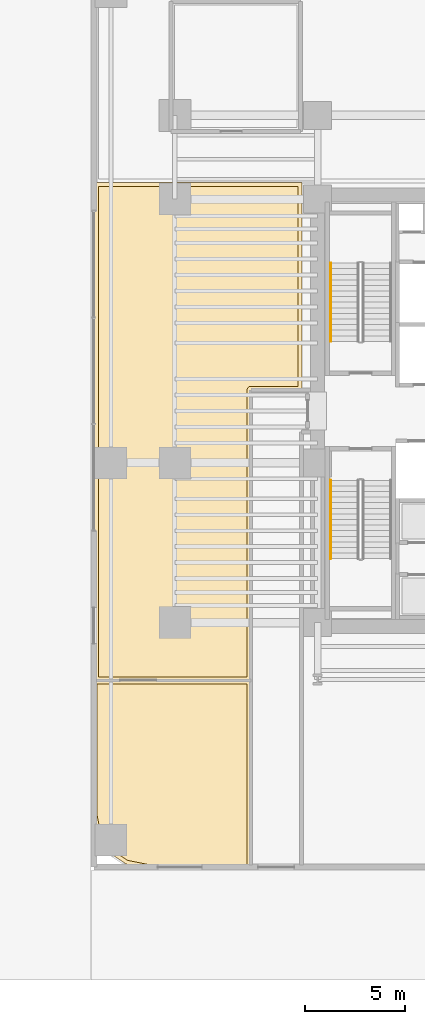
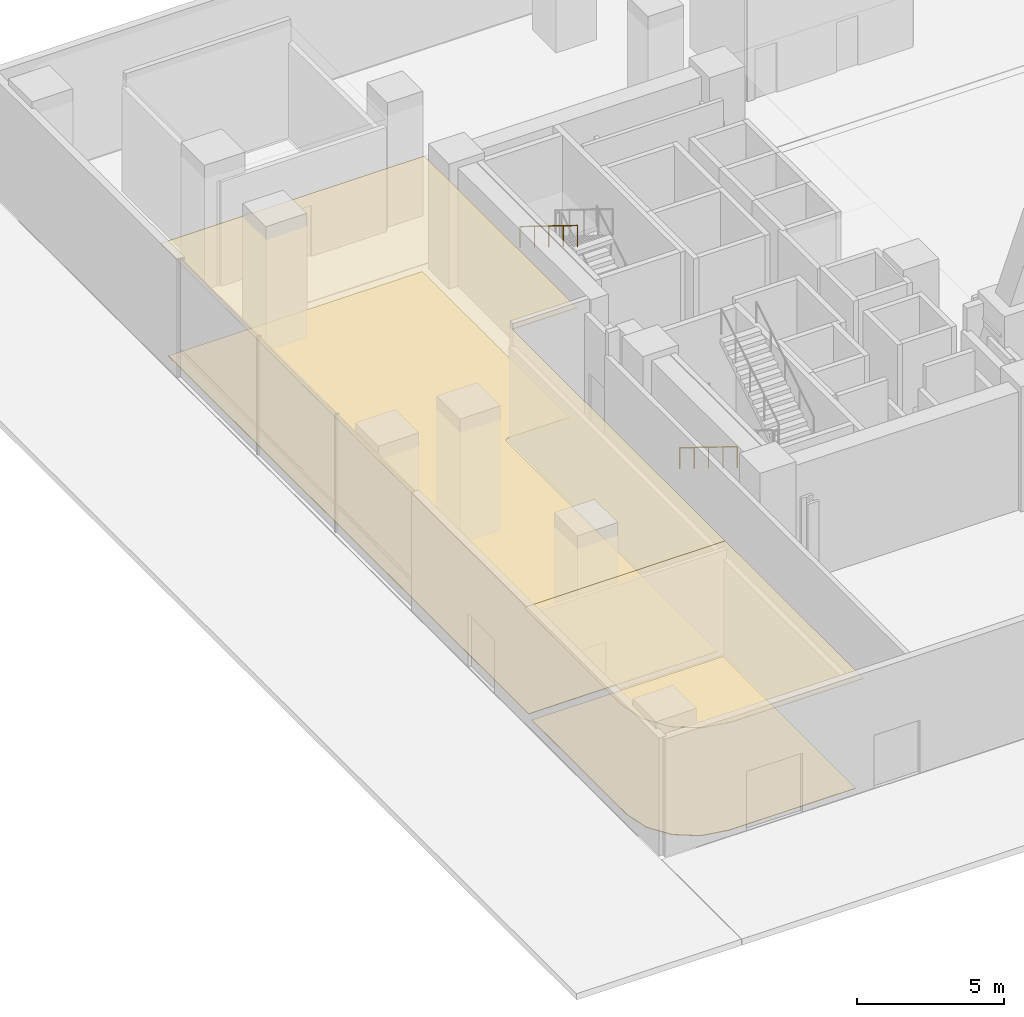
# One storey, part 20 of 27: 4 coverings, 2 railings.
"""IFC4 building model written with IfcOpenShell, lengths in metres."""

from ifc_helpers import new_model, si_unit, direction, frame, origin, origin_2d, place, context, subcontext, project, spatial, polyline, circle, outline, extrude, material, layer, layer_set, type_object, element, save


model = new_model("IFC4")

# Units and contexts
model_context = context("Model", 3, precision=1e-05, world=origin(), true_north=direction((0.0, 1.0)))
body_context = subcontext(model_context, "Body", "Model", "MODEL_VIEW")
ifc_project = project(units=[si_unit("LENGTHUNIT", "METRE"), si_unit("AREAUNIT", "SQUARE_METRE"), si_unit("VOLUMEUNIT", "CUBIC_METRE"), si_unit("PLANEANGLEUNIT", "RADIAN"), si_unit("MASSUNIT", "GRAM", prefix="KILO")], contexts=[model_context])

# Site, building, storey
site_placement = place(None, origin())
site = spatial("IfcSite", under=ifc_project, at=site_placement, CompositionType="ELEMENT")
building_placement = place(site_placement, origin())
building = spatial("IfcBuilding", under=site, at=building_placement, Name="Valdorenza Pilgrim Sanctuary Tower", CompositionType="ELEMENT")
storey_placement = place(building_placement, origin())
storey = spatial("IfcBuildingStorey", under=building, at=storey_placement, Name="L00", CompositionType="ELEMENT", Elevation=0.0)

# Coverings
ifc_material_1 = material(Name="Micro-perforated acoustic mineral ceiling tile", Category="gypsum")
ifc_layer_1 = layer(ifc_material_1, 0.02490234375, Name="Micro-perforated acoustic mineral ceiling tile")
ifc_layer_set_1 = layer_set([ifc_layer_1], Name="Micro-perforated acoustic mineral ceiling tile")
covering_type_1 = type_object("IfcCoveringType", Name="COV-CLG-ACU", PredefinedType="CEILING", material=ifc_layer_set_1)
covering_1_placement = place(storey_placement, frame((0.0, 0.0, 4.6201171875)))
element("IfcCovering", 1, at=covering_1_placement, inside=storey, type_object=covering_type_1, Name="L00 Pilgrim Bookshop and Sacred Art Retail Acoustic Ceiling", PredefinedType="CEILING", context=body_context, shape_type="SweptSolid", body=[
    extrude(outline(polyline([(-25.987060546875, -22.794677734375), (-25.98681640625, -22.795166015625), (-25.986083984375, -22.79638671875), (-25.985595703125, -22.7978515625), (-25.9853515625, -22.79931640625), (-25.985107421875, -22.800537109375), (-25.985107421875, -22.802001953125), (-25.985107421875, -22.889892578125), (-25.985107421875, -22.8916015625), (-25.9853515625, -22.892822265625), (-25.985595703125, -22.894287109375), (-25.986083984375, -22.895751953125), (-25.98681640625, -22.897216796875), (-25.987548828125, -22.898193359375), (-25.98828125, -22.8994140625), (-25.989501953125, -22.900634765625), (-25.990478515625, -22.901611328125), (-25.99169921875, -22.902587890625), (-25.992919921875, -22.9033203125), (-25.994384765625, -22.90380859375), (-25.99560546875, -22.904296875), (-25.9970703125, -22.90478515625), (-25.99853515625, -22.90478515625), (-26.0, -22.905029296875), (-31.189208984375, -22.905029296875), (-31.190673828125, -22.90478515625), (-31.192138671875, -22.90478515625), (-32.2314453125, -22.697998046875), (-32.23291015625, -22.697509765625), (-32.234375, -22.697021484375), (-32.235595703125, -22.696533203125), (-32.23681640625, -22.69580078125), (-33.10888671875, -22.113037109375), (-33.110107421875, -22.1123046875), (-33.111083984375, -22.111083984375), (-33.1123046875, -22.110107421875), (-33.113037109375, -22.10888671875), (-33.69580078125, -21.23681640625), (-33.696533203125, -21.235595703125), (-33.697021484375, -21.234375), (-33.697509765625, -21.23291015625), (-33.697998046875, -21.2314453125), (-33.90478515625, -20.192138671875), (-33.90478515625, -20.190673828125), (-33.905029296875, -20.189208984375), (-33.905029296875, -13.5), (-33.90478515625, -13.49853515625), (-33.90478515625, -13.4970703125), (-33.904296875, -13.49560546875), (-33.90380859375, -13.494384765625), (-33.9033203125, -13.492919921875), (-33.902587890625, -13.49169921875), (-33.901611328125, -13.490478515625), (-33.900634765625, -13.489501953125), (-33.8994140625, -13.48828125), (-33.898193359375, -13.487548828125), (-33.897216796875, -13.48681640625), (-33.895751953125, -13.486083984375), (-33.894287109375, -13.485595703125), (-33.892822265625, -13.4853515625), (-33.8916015625, -13.485107421875), (-33.889892578125, -13.485107421875), (-26.001953125, -13.485107421875), (-26.00048828125, -13.485107421875), (-25.9990234375, -13.4853515625), (-25.99755859375, -13.485595703125), (-25.996337890625, -13.486083984375), (-25.994873046875, -13.48681640625), (-25.99365234375, -13.487548828125), (-25.992431640625, -13.48828125), (-25.991455078125, -13.489501953125), (-25.990478515625, -13.490478515625), (-25.989501953125, -13.49169921875), (-25.98876953125, -13.492919921875), (-25.988037109375, -13.494384765625), (-25.987548828125, -13.49560546875), (-25.9873046875, -13.4970703125), (-25.987060546875, -13.49853515625), (-25.987060546875, -13.5), (-25.987060546875, -22.794677734375)])), origin(), (0.0, 0.0, 1.0), 0.02490234375),
])
covering_2_placement = place(storey_placement, frame((0.0, 0.0, 4.6201171875)))
element("IfcCovering", 2, at=covering_2_placement, inside=storey, type_object=covering_type_1, Name="L00 Grand Pilgrim Entrance Lobby West Arcade Acoustic Ceiling", PredefinedType="CEILING", context=body_context, shape_type="SweptSolid", body=[
    extrude(outline(polyline([(-25.987060546875, 1.037109375), (-25.987060546875, -13.498046875), (-25.987060546875, -13.49951171875), (-25.9873046875, -13.5009765625), (-25.987548828125, -13.50244140625), (-25.988037109375, -13.503662109375), (-25.98876953125, -13.505126953125), (-25.989501953125, -13.50634765625), (-25.990478515625, -13.507568359375), (-25.991455078125, -13.508544921875), (-25.992431640625, -13.509521484375), (-25.99365234375, -13.510498046875), (-25.994873046875, -13.51123046875), (-25.996337890625, -13.511962890625), (-25.99755859375, -13.512451171875), (-25.9990234375, -13.5126953125), (-26.00048828125, -13.512939453125), (-26.001953125, -13.512939453125), (-33.800048828125, -13.512939453125), (-33.801513671875, -13.512939453125), (-33.802978515625, -13.5126953125), (-33.804443359375, -13.512451171875), (-33.8056640625, -13.511962890625), (-33.80712890625, -13.51123046875), (-33.808349609375, -13.510498046875), (-33.8095703125, -13.509521484375), (-33.810546875, -13.508544921875), (-33.8115234375, -13.507568359375), (-33.8125, -13.50634765625), (-33.813232421875, -13.505126953125), (-33.81396484375, -13.503662109375), (-33.814453125, -13.50244140625), (-33.814697265625, -13.5009765625), (-33.81494140625, -13.49951171875), (-33.81494140625, -13.498046875), (-33.81494140625, 11.41796875), (-33.81494140625, 11.41943359375), (-33.814697265625, 11.4208984375), (-33.814453125, 11.42236328125), (-33.81396484375, 11.423583984375), (-33.813232421875, 11.425048828125), (-33.8125, 11.42626953125), (-33.8115234375, 11.427490234375), (-33.810546875, 11.4287109375), (-33.8095703125, 11.4296875), (-33.808349609375, 11.430419921875), (-33.80712890625, 11.43115234375), (-33.8056640625, 11.431884765625), (-33.804443359375, 11.432373046875), (-33.802978515625, 11.4326171875), (-33.801513671875, 11.432861328125), (-33.800048828125, 11.43310546875), (-23.449951171875, 11.43310546875), (-23.448486328125, 11.432861328125), (-23.447021484375, 11.4326171875), (-23.445556640625, 11.432373046875), (-23.4443359375, 11.431884765625), (-23.44287109375, 11.43115234375), (-23.441650390625, 11.430419921875), (-23.4404296875, 11.4296875), (-23.439453125, 11.4287109375), (-23.4384765625, 11.427490234375), (-23.4375, 11.42626953125), (-23.436767578125, 11.425048828125), (-23.43603515625, 11.423583984375), (-23.435546875, 11.42236328125), (-23.435302734375, 11.4208984375), (-23.43505859375, 11.41943359375), (-23.43505859375, 11.41796875), (-23.43505859375, 1.052001953125), (-23.43505859375, 1.050537109375), (-23.435302734375, 1.049072265625), (-23.435546875, 1.047607421875), (-23.43603515625, 1.04638671875), (-23.436767578125, 1.044921875), (-23.4375, 1.043701171875), (-23.4384765625, 1.04248046875), (-23.439453125, 1.04150390625), (-23.4404296875, 1.040283203125), (-23.441650390625, 1.03955078125), (-23.44287109375, 1.038818359375), (-23.4443359375, 1.0380859375), (-23.445556640625, 1.03759765625), (-23.447021484375, 1.037353515625), (-23.448486328125, 1.037109375), (-23.449951171875, 1.037109375), (-25.987060546875, 1.037109375)])), origin(), (0.0, 0.0, 1.0), 0.02490234375),
])
ifc_material_2 = material(Name="Honed travertine stone flooring", Category="masonry")
ifc_layer_2 = layer(ifc_material_2, 0.030029296875, Name="Honed travertine stone flooring")
ifc_layer_set_2 = layer_set([ifc_layer_2], Name="Honed travertine stone flooring")
covering_type_2 = type_object("IfcCoveringType", Name="COV-FLR-TRV", PredefinedType="FLOORING", material=ifc_layer_set_2)
covering_3_placement = place(storey_placement, origin())
element("IfcCovering", 3, at=covering_3_placement, inside=storey, type_object=covering_type_2, Name="L00 Pilgrim Bookshop and Sacred Art Retail Flooring", PredefinedType="FLOORING", context=body_context, shape_type="SweptSolid", body=[
    extrude(outline(polyline([(-26.181884765625, -22.7099609375), (-31.17138671875, -22.7099609375), (-32.158203125, -22.513671875), (-32.970703125, -21.970703125), (-33.513671875, -21.158203125), (-33.7099609375, -20.17138671875), (-33.7099609375, -13.679931640625), (-26.181884765625, -13.679931640625), (-26.181884765625, -22.7099609375)])), origin(), (0.0, 0.0, 1.0), 0.02490234375),
])
covering_4_placement = place(storey_placement, origin())
element("IfcCovering", 4, at=covering_4_placement, inside=storey, type_object=covering_type_2, Name="L00 Grand Pilgrim Entrance Lobby West Arcade Flooring", PredefinedType="FLOORING", context=body_context, shape_type="SweptSolid", body=[
    extrude(outline(polyline([(-23.6298828125, 1.23193359375), (-26.0, 1.23193359375), (-26.0087890625, 1.231689453125), (-26.009033203125, 1.231689453125), (-26.026611328125, 1.22998046875), (-26.02685546875, 1.22998046875), (-26.044189453125, 1.2265625), (-26.044189453125, 1.2265625), (-26.061279296875, 1.221435546875), (-26.061279296875, 1.22119140625), (-26.07763671875, 1.214599609375), (-26.077880859375, 1.214599609375), (-26.093505859375, 1.206298828125), (-26.093505859375, 1.2060546875), (-26.1083984375, 1.1962890625), (-26.1083984375, 1.196044921875), (-26.1220703125, 1.184814453125), (-26.122314453125, 1.184814453125), (-26.134765625, 1.17236328125), (-26.135009765625, 1.172119140625), (-26.14599609375, 1.158447265625), (-26.146240234375, 1.158203125), (-26.156005859375, 1.1435546875), (-26.15625, 1.1435546875), (-26.16455078125, 1.1279296875), (-26.16455078125, 1.127685546875), (-26.17138671875, 1.111328125), (-26.17138671875, 1.111083984375), (-26.176513671875, 1.09423828125), (-26.176513671875, 1.093994140625), (-26.179931640625, 1.076904296875), (-26.179931640625, 1.07666015625), (-26.181884765625, 1.05908203125), (-26.181884765625, 1.058837890625), (-26.181884765625, 1.050048828125), (-26.181884765625, -13.318115234375), (-33.6201171875, -13.318115234375), (-33.6201171875, 11.238037109375), (-23.6298828125, 11.238037109375), (-23.6298828125, 1.23193359375)])), origin(), (0.0, 0.0, 1.0), 0.02490234375),
])

# Railings
ifc_material_3 = material(Name="Brushed stainless steel Grade 316", Category="steel")
railing_type = type_object("IfcRailingType", Name="RLG-HND-920", PredefinedType="HANDRAIL", material=ifc_material_3)
railing_1_placement = place(storey_placement, frame((-22.0, 7.39990234375, 2.7734375)))
element("IfcRailing", 5, at=railing_1_placement, inside=storey, type_object=railing_type, Name="L00 ST-A1 stair handrail 2", PredefinedType="HANDRAIL", context=body_context, shape_type="SweptSolid", body=[
    extrude(circle(Radius=0.02392578125, at=origin_2d()), frame((0.0, 0.0, 0.8759765625), z_axis=(0.0, -0.850275303828, 0.526338206574), x_axis=(1.0, 0.0, 0.0)), (0.0, 0.0, 1.0), 4.610107421875),
    extrude(circle(Radius=0.02099609375, at=origin_2d()), origin(), (0.0, 0.0, 1.0), 0.851806640625),
    extrude(circle(Radius=0.02099609375, at=origin_2d()), frame((0.0, -0.97998046875, 0.606689453125)), (0.0, 0.0, 1.0), 0.851806640625),
    extrude(circle(Radius=0.02099609375, at=origin_2d()), frame((0.0, -1.9599609375, 1.21337890625)), (0.0, 0.0, 1.0), 0.851806640625),
    extrude(circle(Radius=0.02099609375, at=origin_2d()), frame((0.0, -2.93994140625, 1.81982421875)), (0.0, 0.0, 1.0), 0.851806640625),
    extrude(circle(Radius=0.02099609375, at=origin_2d()), frame((0.0, -3.919921875, 2.426513671875)), (0.0, 0.0, 1.0), 0.851806640625),
])
railing_2_placement = place(storey_placement, frame((-22.0, -3.47998046875, 0.17333984375)))
element("IfcRailing", 6, at=railing_2_placement, inside=storey, type_object=railing_type, Name="L00 ST-A2 stair handrail 1", PredefinedType="HANDRAIL", context=body_context, shape_type="SweptSolid", body=[
    extrude(circle(Radius=0.02392578125, at=origin_2d()), frame((0.0, 0.0, 0.8759765625), z_axis=(0.0, -0.850251603719, 0.526376491091), x_axis=(1.0, 0.0, 0.0)), (0.0, 0.0, 1.0), 4.6103515625),
    extrude(circle(Radius=0.02099609375, at=origin_2d()), origin(), (0.0, 0.0, 1.0), 0.851806640625),
    extrude(circle(Radius=0.02099609375, at=origin_2d()), frame((0.0, -0.97998046875, 0.606689453125)), (0.0, 0.0, 1.0), 0.851806640625),
    extrude(circle(Radius=0.02099609375, at=origin_2d()), frame((0.0, -1.9599609375, 1.21337890625)), (0.0, 0.0, 1.0), 0.851806640625),
    extrude(circle(Radius=0.02099609375, at=origin_2d()), frame((0.0, -2.93994140625, 1.820068359375)), (0.0, 0.0, 1.0), 0.851806640625),
    extrude(circle(Radius=0.02099609375, at=origin_2d()), frame((0.0, -3.919921875, 2.4267578125)), (0.0, 0.0, 1.0), 0.851806640625),
])

save(model, "model.ifc")
